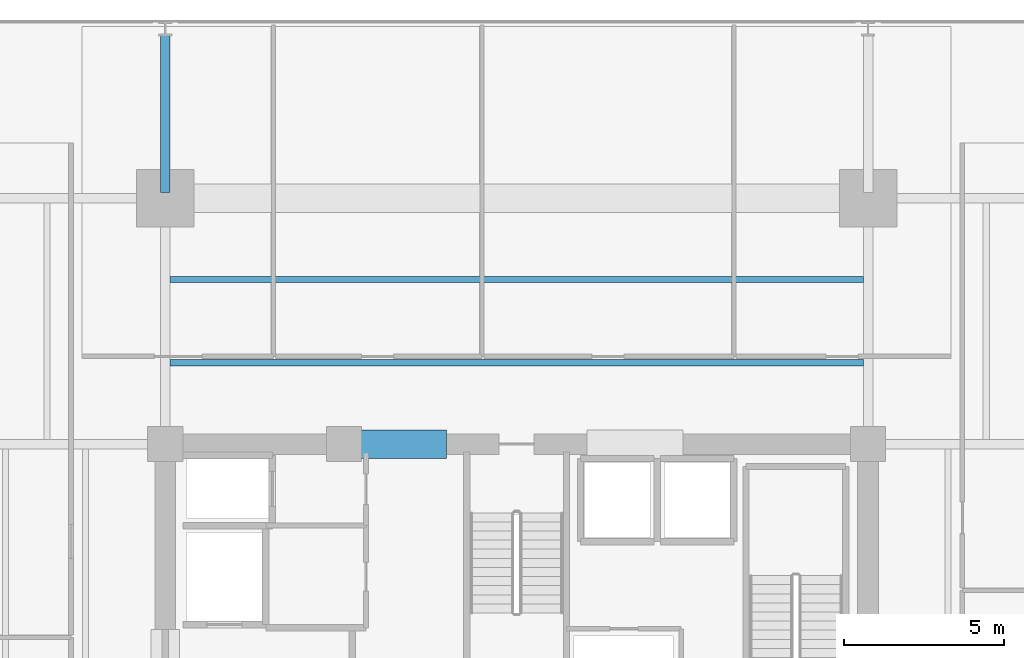
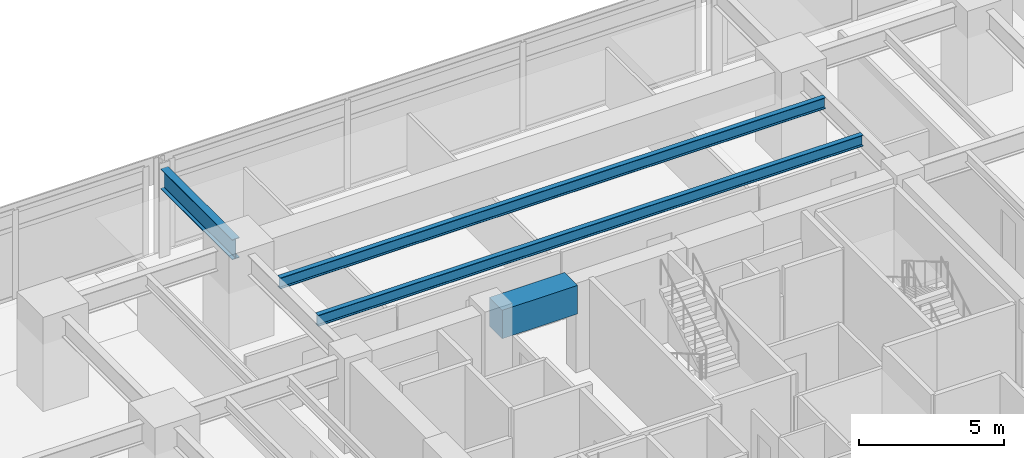
# One storey, part 7 of 23: 4 beams.
"""IFC4 building model written with IfcOpenShell, lengths in metres."""

import ifcopenshell
import ifcopenshell.guid

model = None  # the IFC model being written
_history = None  # IfcOwnerHistory: only IFC2X3 demands one
_inside = {}  # id of a spatial element -> (the spatial element, [elements in it])
_under = {}  # id of a project, library or spatial element -> (it, [spatial elements below it])
_declared = {}  # id of a project -> (the project, [libraries it declares])
_typed = {}  # id of a type object -> (the type object, [elements of that type])
_made_of = {}  # id of a material, layer set ... -> (it, [elements and type objects made of it])


def new_model(schema):
    """Start an empty IFC model of exactly this schema.

    Asked for "IFC4X3", IfcOpenShell would pick the latest addendum, in which some entities
    have other attributes; the version numbers below select the first issue.
    IFC2X3 requires an IfcOwnerHistory on every rooted entity: one is made here for all.
    """
    global model, _history
    if schema == "IFC4X3":
        model = ifcopenshell.file(schema_version=(4, 3, 0, 0))
    else:
        model = ifcopenshell.file(schema=schema)
    _inside.clear()
    _under.clear()
    _declared.clear()
    _typed.clear()
    _made_of.clear()
    _history = None
    if model.schema == "IFC2X3":
        org = make("IfcOrganization", Name="unknown")
        user = make(
            "IfcPersonAndOrganization",
            ThePerson=make("IfcPerson", FamilyName="unknown"),
            TheOrganization=org,
        )
        app = make(
            "IfcApplication",
            ApplicationDeveloper=org,
            Version="unknown",
            ApplicationFullName="unknown",
            ApplicationIdentifier="unknown",
        )
        _history = make(
            "IfcOwnerHistory",
            OwningUser=user,
            OwningApplication=app,
            ChangeAction="ADDED",
            CreationDate=0,
        )
    return model


def make(cls, **values):
    """One entity of the class cls with the attributes given. An attribute that is None is left unset."""
    return model.create_entity(
        cls, **{name: value for name, value in values.items() if value is not None}
    )


def rooted(cls, **values):
    """An entity with a GlobalId (a new one), such as an element, a storey or a relation."""
    return make(cls, GlobalId=ifcopenshell.guid.new(), OwnerHistory=_history, **values)


def si_unit(unit_type, name, prefix=None):
    """IfcSIUnit, for example si_unit("LENGTHUNIT", "METRE", prefix="MILLI")."""
    return make("IfcSIUnit", UnitType=unit_type, Prefix=prefix, Name=name)


def assignment(units):
    """IfcUnitAssignment: the units of a project."""
    return None if units is None else make("IfcUnitAssignment", Units=units)


def point(xyz):
    """IfcCartesianPoint."""
    return None if xyz is None else make("IfcCartesianPoint", Coordinates=xyz)


def direction(xyz):
    """IfcDirection."""
    return None if xyz is None else make("IfcDirection", DirectionRatios=xyz)


def frame(location, z_axis=None, x_axis=None):
    """IfcAxis2Placement3D, a coordinate frame: its origin and axes. An axis left out is left unset."""
    return make(
        "IfcAxis2Placement3D",
        Location=point(location),
        Axis=direction(z_axis),
        RefDirection=direction(x_axis),
    )


def frame_2d(location, x_axis=None):
    """IfcAxis2Placement2D, a coordinate frame in the plane: its origin and x axis."""
    return make(
        "IfcAxis2Placement2D", Location=point(location), RefDirection=direction(x_axis)
    )


def origin():
    """The frame at (0, 0, 0) with its axes left unset."""
    return frame((0.0, 0.0, 0.0))


def origin_2d():
    """The frame at (0, 0) in the plane with its x axis left unset."""
    return frame_2d((0.0, 0.0))


def place(relative_to, where):
    """IfcLocalPlacement: puts the frame where relative to a parent placement (None: the world)."""
    return make(
        "IfcLocalPlacement", PlacementRelTo=relative_to, RelativePlacement=where
    )


def context(
    kind, dimensions, precision=None, world=None, true_north=None, identifier=None
):
    """IfcGeometricRepresentationContext, for example the 3D "Model" context."""
    return make(
        "IfcGeometricRepresentationContext",
        ContextIdentifier=identifier,
        ContextType=kind,
        CoordinateSpaceDimension=dimensions,
        Precision=precision,
        WorldCoordinateSystem=world,
        TrueNorth=true_north,
    )


def subcontext(parent, identifier, kind, view, scale=None):
    """IfcGeometricRepresentationSubContext, for example "Body" below "Model"."""
    return make(
        "IfcGeometricRepresentationSubContext",
        ContextIdentifier=identifier,
        ContextType=kind,
        ParentContext=parent,
        TargetScale=scale,
        TargetView=view,
    )


def project(units=None, contexts=None):
    """IfcProject with its units and contexts."""
    return rooted(
        "IfcProject",
        Name="project",
        RepresentationContexts=contexts,
        UnitsInContext=assignment(units),
    )


def spatial(cls, under=None, at=None, **own):
    """A site, building, storey or space (cls), placed at a placement, below another one or the project."""
    s = rooted(cls, ObjectPlacement=at, **own)
    if under is not None:
        _under.setdefault(under.id(), (under, []))[1].append(s)
    return s


def profile(cls, at=None, kind="AREA", **sizes):
    """A parametric profile (cls). Its sizes go by their IFC names, for example OverallWidth=200.0."""
    return make(cls, ProfileType=kind, Position=at, **sizes)


def rectangle(**sizes):
    """IfcRectangleProfileDef."""
    return profile("IfcRectangleProfileDef", **sizes)


def i_section(**sizes):
    """IfcIShapeProfileDef."""
    return profile("IfcIShapeProfileDef", **sizes)


def extrude(swept, where, along, depth):
    """IfcExtrudedAreaSolid: the profile swept, set in the frame where, extruded along a direction by depth."""
    return make(
        "IfcExtrudedAreaSolid",
        SweptArea=swept,
        Position=where,
        ExtrudedDirection=direction(along),
        Depth=depth,
    )


def shape(context_of_items, identifier, shape_type, items):
    """IfcShapeRepresentation: the items that make up one representation, for example the "Body"."""
    return make(
        "IfcShapeRepresentation",
        ContextOfItems=context_of_items,
        RepresentationIdentifier=identifier,
        RepresentationType=shape_type,
        Items=items,
    )


def material(Name=None, Category=None):
    """IfcMaterial."""
    return make("IfcMaterial", Name=Name, Category=Category)


def material_profile(
    of_material, cross_section, Name=None, Category=None, Priority=None
):
    """IfcMaterialProfile: a cross section and its material."""
    return make(
        "IfcMaterialProfile",
        Name=Name,
        Material=of_material,
        Profile=cross_section,
        Priority=Priority,
        Category=Category,
    )


def profile_set(profiles, Name=None, composite=None):
    """IfcMaterialProfileSet."""
    return make(
        "IfcMaterialProfileSet",
        Name=Name,
        MaterialProfiles=profiles,
        CompositeProfile=composite,
    )


def made_of(thing, what):
    """Note that an element or type object is made of a material, layer set ...; save() writes the relation."""
    if what is not None:
        _made_of.setdefault(what.id(), (what, []))[1].append(thing)
    return thing


def type_object(cls, material=None, **own):
    """A type object (cls), such as IfcWallType, which elements share."""
    return made_of(rooted(cls, **own), material)


def element(
    cls,
    number,
    at=None,
    inside=None,
    cuts=None,
    type_object=None,
    material=None,
    context=None,
    identifier="Body",
    shape_type=None,
    held_by="IfcProductDefinitionShape",
    body=None,
    shapes=None,
    **own,
):
    """One element of the class cls, such as IfcWall. Its Tag is "e" and its number.

    at: its placement. inside: the storey or other place that contains it. cuts: it is an
    opening in that element (IfcRelVoidsElement). A single representation is given by context,
    identifier, shape_type and body (its items); several are given by shapes. held_by: the class
    of the entity that holds the representations. save() writes the other relations.
    """
    e = rooted(cls, Tag="e%d" % number, ObjectPlacement=at, **own)
    if body is not None:
        shapes = [shape(context, identifier, shape_type, body)]
    if shapes is not None:
        e.Representation = make(held_by, Representations=shapes)
    if inside is not None:
        _inside.setdefault(inside.id(), (inside, []))[1].append(e)
    if cuts is not None:
        rooted(
            "IfcRelVoidsElement", RelatingBuildingElement=cuts, RelatedOpeningElement=e
        )
    if type_object is not None:
        _typed.setdefault(type_object.id(), (type_object, []))[1].append(e)
    return made_of(e, material)


def aggregate(whole, parts):
    """IfcRelAggregates: a whole, such as a stair, and the parts it consists of."""
    return rooted("IfcRelAggregates", RelatingObject=whole, RelatedObjects=parts)


def save(model, path):
    """Write the relations noted so far, then the file.

    IfcRelAggregates (storeys below a building ...), IfcRelContainedInSpatialStructure (elements
    in a storey), IfcRelDefinesByType, IfcRelAssociatesMaterial and IfcRelDeclares: one each for
    every whole, place, type object, material and project.
    """
    for whole, parts in _under.values():
        aggregate(whole, parts)
    for where, things in _inside.values():
        rooted(
            "IfcRelContainedInSpatialStructure",
            RelatedElements=things,
            RelatingStructure=where,
        )
    for kind, things in _typed.values():
        rooted("IfcRelDefinesByType", RelatedObjects=things, RelatingType=kind)
    for what, things in _made_of.values():
        rooted("IfcRelAssociatesMaterial", RelatedObjects=things, RelatingMaterial=what)
    for by, libraries in _declared.values():
        rooted("IfcRelDeclares", RelatingContext=by, RelatedDefinitions=libraries)
    model.write(path)


model = new_model("IFC4")

# Units and contexts
model_context = context("Model", 3, precision=1e-05, world=origin(), true_north=direction((0.0, 1.0)))
body_context = subcontext(model_context, "Body", "Model", "MODEL_VIEW")
ifc_project = project(units=[si_unit("LENGTHUNIT", "METRE"), si_unit("AREAUNIT", "SQUARE_METRE"), si_unit("VOLUMEUNIT", "CUBIC_METRE"), si_unit("PLANEANGLEUNIT", "RADIAN"), si_unit("MASSUNIT", "GRAM", prefix="KILO")], contexts=[model_context])

# Site, building, storey
site_placement = place(None, origin())
site = spatial("IfcSite", under=ifc_project, at=site_placement, CompositionType="ELEMENT")
building_placement = place(site_placement, origin())
building = spatial("IfcBuilding", under=site, at=building_placement, Name="Kovane Verandah Tower", CompositionType="ELEMENT")
storey_placement = place(building_placement, frame((0.0, 0.0, 55.60009765625)))
storey = spatial("IfcBuildingStorey", under=building, at=storey_placement, Name="L12", CompositionType="ELEMENT", Elevation=55.60009765625)

# Beams
ifc_material_1 = material(Name="Concrete C80/95", Category="concrete")
ifc_material_profile_1 = material_profile(ifc_material_1, rectangle(XDim=0.89990234375, YDim=1.199951171875, at=origin_2d()), Name="RCB900x1200")
ifc_profile_set_1 = profile_set([ifc_material_profile_1], Name="Concrete C80/95")
beam_type_1 = type_object("IfcBeamType", Name="BM-LINTEL-900x1200", PredefinedType="LINTEL", material=ifc_profile_set_1)
beam_1_placement = place(storey_placement, frame((34.800048828125, 36.5, 3.159912109375), z_axis=(1.0, 0.0, 0.0), x_axis=(0.0, 1.0, 0.0)))
element("IfcBeam", 1, at=beam_1_placement, inside=storey, type_object=beam_type_1, Name="L12 Core Coupling Lintel CL-N1", PredefinedType="LINTEL", context=body_context, shape_type="SweptSolid", body=[
    extrude(rectangle(XDim=0.89990234375, YDim=1.199951171875, at=origin_2d()), origin(), (0.0, 0.0, 1.0), 3.0),
])
ifc_material_2 = material(Name="Steel S355", Category="steel")
ifc_material_profile_2 = material_profile(ifc_material_2, i_section(OverallWidth=0.293701171875, OverallDepth=0.850830078125, WebThickness=0.01611328125, FlangeThickness=0.02685546875, FilletRadius=0.017822265625, at=origin_2d()), Name="UB838x292x226")
ifc_profile_set_2 = profile_set([ifc_material_profile_2], Name="Steel S355")
beam_type_2 = type_object("IfcBeamType", Name="BM-UB838x226", PredefinedType="BEAM", material=ifc_profile_set_2)
beam_2_placement = place(storey_placement, frame((29.0, 44.3798828125, 3.33447265625), z_axis=(0.0, 1.0, 0.0), x_axis=(-1.0, 0.0, 0.0)))
element("IfcBeam", 2, at=beam_2_placement, inside=storey, type_object=beam_type_2, Name="L12 Primary Tower Girder G-VN1", PredefinedType="BEAM", context=body_context, shape_type="SweptSolid", body=[
    extrude(i_section(OverallWidth=0.293701171875, OverallDepth=0.850830078125, WebThickness=0.01611328125, FlangeThickness=0.02685546875, FilletRadius=0.017822265625, at=origin_2d()), origin(), (0.0, 0.0, 1.0), 4.940185546875),
])
ifc_material_profile_3 = material_profile(ifc_material_2, i_section(OverallWidth=0.19287109375, OverallDepth=0.46728515625, WebThickness=0.011474609375, FlangeThickness=0.01953125, FilletRadius=0.01025390625, at=origin_2d()), Name="UB457x191x98")
ifc_profile_set_3 = profile_set([ifc_material_profile_3], Name="Steel S355")
beam_type_3 = type_object("IfcBeamType", Name="JST-UB457x98", PredefinedType="JOIST", material=ifc_profile_set_3)
for number, where, z_axis, x_axis, name in (
    (3, (29.14501953125, 39.050048828125, 3.5263671875), (1.0, 0.0, 0.0), (0.0, 1.0, 0.0), "L12 Secondary Composite Joist J-N1"),
    (4, (29.14501953125, 41.64990234375, 3.5263671875), (1.0, 0.0, 0.0), (0.0, 1.0, 0.0), "L12 Secondary Composite Joist J-N2"),
):
    element("IfcBeam", number, at=place(storey_placement, frame(where, z_axis=z_axis, x_axis=x_axis)), inside=storey, type_object=beam_type_3, Name=name, PredefinedType="JOIST", context=body_context, shape_type="SweptSolid", body=[
        extrude(i_section(OverallWidth=0.19287109375, OverallDepth=0.46728515625, WebThickness=0.011474609375, FlangeThickness=0.01953125, FilletRadius=0.01025390625, at=origin_2d()), origin(), (0.0, 0.0, 1.0), 21.7099609375),
    ])

save(model, "model.ifc")
